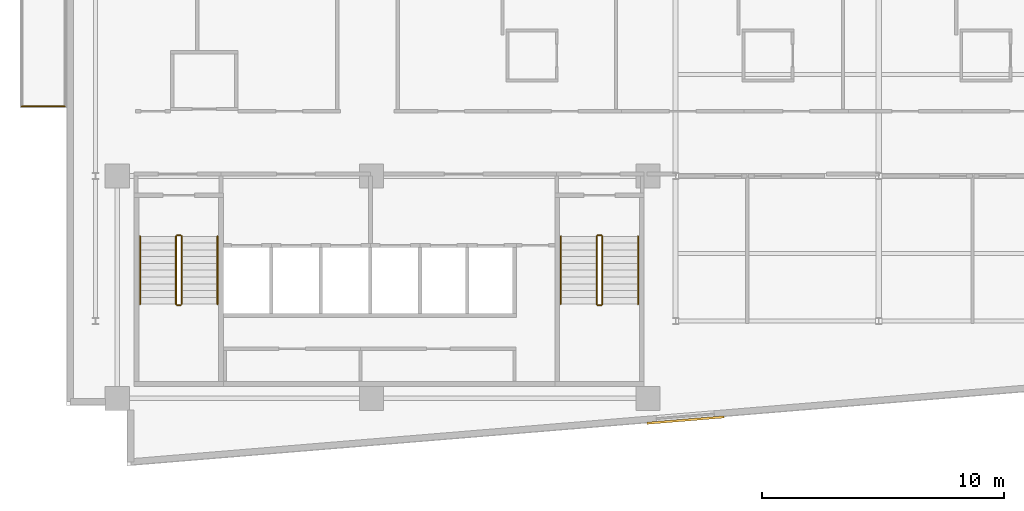
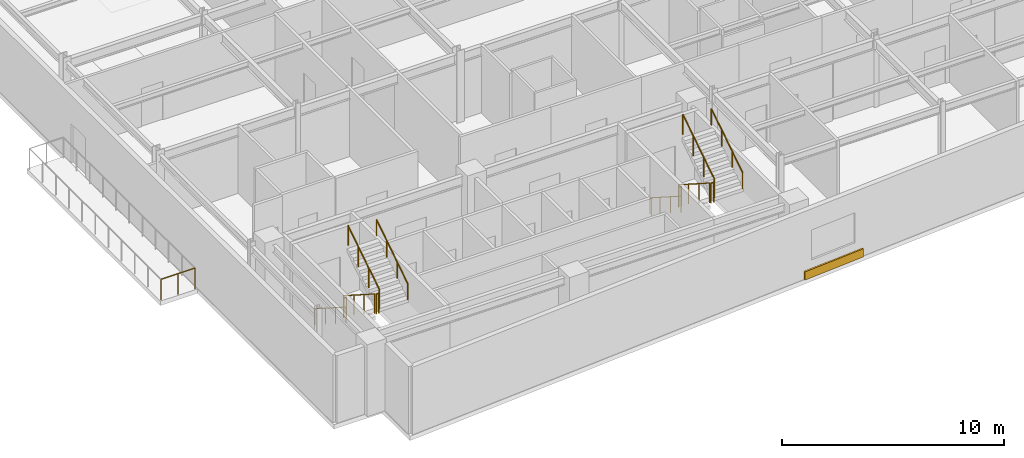
# One storey, part 14 of 16: 13 railings, 1 covering.
"""IFC4 building model written with IfcOpenShell, lengths in metres."""

from ifc_helpers import new_model, si_unit, direction, frame, origin, origin_2d, place, context, subcontext, project, spatial, rectangle, circle, extrude, material, layer, layer_set, type_object, element, save


model = new_model("IFC4")

# Units and contexts
model_context = context("Model", 3, precision=1e-05, world=origin(), true_north=direction((0.0, 1.0)))
body_context = subcontext(model_context, "Body", "Model", "MODEL_VIEW")
ifc_project = project(units=[si_unit("LENGTHUNIT", "METRE"), si_unit("AREAUNIT", "SQUARE_METRE"), si_unit("VOLUMEUNIT", "CUBIC_METRE"), si_unit("PLANEANGLEUNIT", "RADIAN"), si_unit("MASSUNIT", "GRAM", prefix="KILO")], contexts=[model_context])

# Site, building, storey
site_placement = place(None, origin())
site = spatial("IfcSite", under=ifc_project, at=site_placement, CompositionType="ELEMENT")
building_placement = place(site_placement, origin())
building = spatial("IfcBuilding", under=site, at=building_placement, Name="Varnakote Quay Hospital", CompositionType="ELEMENT")
storey_placement = place(building_placement, frame((0.0, 0.0, 188.14990234375)))
storey = spatial("IfcBuildingStorey", under=building, at=storey_placement, Name="L46", CompositionType="ELEMENT", Elevation=188.14990234375)

# Covering
ifc_material_1 = material(Name="Kiln-fired red brick architectural cladding", Category="masonry")
ifc_layer = layer(ifc_material_1, 0.090087890625)
ifc_layer_set = layer_set([ifc_layer], Name="Kiln-fired red brick architectural cladding")
covering_type = type_object("IfcCoveringType", Name="COV-BRICK-CLAD-90", PredefinedType="CLADDING", material=ifc_layer_set)
covering_placement = place(storey_placement, frame((25.613037109375, 1.901123046875, 0.0), z_axis=(0.0, 0.0, 1.0), x_axis=(0.996637386818, 0.08193850863, 0.0)))
element("IfcCovering", 1, at=covering_placement, inside=storey, type_object=covering_type, Name="L46 Kiln-Brick Precast Spandrel Cladding Band", PredefinedType="CLADDING", context=body_context, shape_type="SweptSolid", body=[
    extrude(rectangle(XDim=3.199951171875, YDim=0.090087890625, at=origin_2d()), origin(), (0.0, 0.0, 1.0), 0.449951171875),
])

# Railings
ifc_material_2 = material(Name="Anodised aluminium 6063-T6 Bronze", Category="aluminium")
railing_type_1 = type_object("IfcRailingType", Name="RLG-EXT-GUARD-1150", PredefinedType="GUARDRAIL", material=ifc_material_2)
railing_1_placement = place(storey_placement, frame((-0.075927734375, 14.8798828125, 0.0)))
element("IfcRailing", 2, at=railing_1_placement, inside=storey, type_object=railing_type_1, Name="L46 Zigzag Prow Healing Terrace Safety Guard", PredefinedType="GUARDRAIL", context=body_context, shape_type="SweptSolid", body=[
    extrude(circle(Radius=0.02392578125, at=origin_2d()), frame((0.0, 0.0, 1.1259765625), z_axis=(-1.0, 0.0, 0.0), x_axis=(0.0, -1.0, 0.0)), (0.0, 0.0, 1.0), 1.76416015625),
    extrude(circle(Radius=0.02099609375, at=origin_2d()), origin(), (0.0, 0.0, 1.0), 1.101806640625),
    extrude(circle(Radius=0.02099609375, at=origin_2d()), frame((-0.882080078125, 0.0, 0.0)), (0.0, 0.0, 1.0), 1.101806640625),
    extrude(circle(Radius=0.02099609375, at=origin_2d()), frame((-1.76416015625, 0.0, 0.0)), (0.0, 0.0, 1.0), 1.101806640625),
])
ifc_material_3 = material(Name="Brushed stainless steel balustrade", Category="steel")
railing_type_2 = type_object("IfcRailingType", Name="RLG-STAIR-GUARD-1150", PredefinedType="GUARDRAIL", material=ifc_material_3)
railing_2_placement = place(storey_placement, frame((4.530029296875, 9.5, 0.1796875)))
element("IfcRailing", 3, at=railing_2_placement, inside=storey, type_object=railing_type_2, Name="L46 ST-01 stair guard 1", PredefinedType="GUARDRAIL", context=body_context, shape_type="SweptSolid", body=[
    extrude(circle(Radius=0.02392578125, at=origin_2d()), frame((0.0, 0.0, 1.076171875), z_axis=(0.0, -0.841809871826, 0.539774156196), x_axis=(1.0, 0.0, 0.0)), (0.0, 0.0, 1.0), 3.326171875),
    extrude(circle(Radius=0.02099609375, at=origin_2d()), origin(), (0.0, 0.0, 1.0), 1.052001953125),
    extrude(circle(Radius=0.02099609375, at=origin_2d()), frame((0.0, -0.933349609375, 0.598388671875)), (0.0, 0.0, 1.0), 1.052001953125),
    extrude(circle(Radius=0.02099609375, at=origin_2d()), frame((0.0, -1.86669921875, 1.197021484375)), (0.0, 0.0, 1.0), 1.052001953125),
    extrude(circle(Radius=0.02099609375, at=origin_2d()), frame((0.0, -2.800048828125, 1.79541015625)), (0.0, 0.0, 1.0), 1.052001953125),
])
railing_3_placement = place(storey_placement, frame((4.580078125, 6.64990234375, 1.97509765625)))
element("IfcRailing", 4, at=railing_3_placement, inside=storey, type_object=railing_type_2, Name="L46 ST-01 stair guard 2", PredefinedType="GUARDRAIL", context=body_context, shape_type="SweptSolid", body=[
    extrude(circle(Radius=0.02392578125, at=origin_2d()), frame((0.0, 0.0, 1.076171875), z_axis=(1.0, 0.0, 0.0), x_axis=(0.0, 1.0, 0.0)), (0.0, 0.0, 1.0), 0.139892578125),
    extrude(circle(Radius=0.02099609375, at=origin_2d()), origin(), (0.0, 0.0, 1.0), 1.052001953125),
    extrude(circle(Radius=0.02099609375, at=origin_2d()), frame((0.139892578125, 0.0, 0.0)), (0.0, 0.0, 1.0), 1.052001953125),
])
railing_4_placement = place(storey_placement, frame((4.77001953125, 6.699951171875, 2.154541015625)))
element("IfcRailing", 5, at=railing_4_placement, inside=storey, type_object=railing_type_2, Name="L46 ST-01 stair guard 3", PredefinedType="GUARDRAIL", context=body_context, shape_type="SweptSolid", body=[
    extrude(circle(Radius=0.02392578125, at=origin_2d()), frame((0.0, 0.0, 1.076171875), z_axis=(0.0, 0.841776520102, 0.539826166654), x_axis=(-1.0, 0.0, 0.0)), (0.0, 0.0, 1.0), 3.326416015625),
    extrude(circle(Radius=0.02099609375, at=origin_2d()), origin(), (0.0, 0.0, 1.0), 1.052001953125),
    extrude(circle(Radius=0.02099609375, at=origin_2d()), frame((0.0, 0.933349609375, 0.5986328125)), (0.0, 0.0, 1.0), 1.052001953125),
    extrude(circle(Radius=0.02099609375, at=origin_2d()), frame((0.0, 1.86669921875, 1.197021484375)), (0.0, 0.0, 1.0), 1.052001953125),
    extrude(circle(Radius=0.02099609375, at=origin_2d()), frame((0.0, 2.800048828125, 1.795654296875)), (0.0, 0.0, 1.0), 1.052001953125),
])
railing_5_placement = place(storey_placement, frame((4.580078125, 9.550048828125, 0.0)))
element("IfcRailing", 6, at=railing_5_placement, inside=storey, type_object=railing_type_2, Name="L46 ST-01 stair guard 4", PredefinedType="GUARDRAIL", context=body_context, shape_type="SweptSolid", body=[
    extrude(circle(Radius=0.02392578125, at=origin_2d()), frame((0.0, 0.0, 1.076171875), z_axis=(1.0, 0.0, 0.0), x_axis=(0.0, 1.0, 0.0)), (0.0, 0.0, 1.0), 0.139892578125),
    extrude(circle(Radius=0.02099609375, at=origin_2d()), origin(), (0.0, 0.0, 1.0), 1.052001953125),
    extrude(circle(Radius=0.02099609375, at=origin_2d()), frame((0.139892578125, 0.0, 0.0)), (0.0, 0.0, 1.0), 1.052001953125),
])
railing_6_placement = place(storey_placement, frame((21.929931640625, 9.5, 0.1796875)))
element("IfcRailing", 7, at=railing_6_placement, inside=storey, type_object=railing_type_2, Name="L46 ST-02 stair guard 1", PredefinedType="GUARDRAIL", context=body_context, shape_type="SweptSolid", body=[
    extrude(circle(Radius=0.02392578125, at=origin_2d()), frame((0.0, 0.0, 1.076171875), z_axis=(0.0, -0.841809871826, 0.539774156196), x_axis=(1.0, 0.0, 0.0)), (0.0, 0.0, 1.0), 3.326171875),
    extrude(circle(Radius=0.02099609375, at=origin_2d()), origin(), (0.0, 0.0, 1.0), 1.052001953125),
    extrude(circle(Radius=0.02099609375, at=origin_2d()), frame((0.0, -0.933349609375, 0.598388671875)), (0.0, 0.0, 1.0), 1.052001953125),
    extrude(circle(Radius=0.02099609375, at=origin_2d()), frame((0.0, -1.86669921875, 1.197021484375)), (0.0, 0.0, 1.0), 1.052001953125),
    extrude(circle(Radius=0.02099609375, at=origin_2d()), frame((0.0, -2.800048828125, 1.79541015625)), (0.0, 0.0, 1.0), 1.052001953125),
])
railing_7_placement = place(storey_placement, frame((21.97998046875, 6.64990234375, 1.97509765625)))
element("IfcRailing", 8, at=railing_7_placement, inside=storey, type_object=railing_type_2, Name="L46 ST-02 stair guard 2", PredefinedType="GUARDRAIL", context=body_context, shape_type="SweptSolid", body=[
    extrude(circle(Radius=0.02392578125, at=origin_2d()), frame((0.0, 0.0, 1.076171875), z_axis=(1.0, 0.0, 0.0), x_axis=(0.0, 1.0, 0.0)), (0.0, 0.0, 1.0), 0.14013671875),
    extrude(circle(Radius=0.02099609375, at=origin_2d()), origin(), (0.0, 0.0, 1.0), 1.052001953125),
    extrude(circle(Radius=0.02099609375, at=origin_2d()), frame((0.14013671875, 0.0, 0.0)), (0.0, 0.0, 1.0), 1.052001953125),
])
railing_8_placement = place(storey_placement, frame((22.169921875, 6.699951171875, 2.154541015625)))
element("IfcRailing", 9, at=railing_8_placement, inside=storey, type_object=railing_type_2, Name="L46 ST-02 stair guard 3", PredefinedType="GUARDRAIL", context=body_context, shape_type="SweptSolid", body=[
    extrude(circle(Radius=0.02392578125, at=origin_2d()), frame((0.0, 0.0, 1.076171875), z_axis=(0.0, 0.841776520102, 0.539826166654), x_axis=(-1.0, 0.0, 0.0)), (0.0, 0.0, 1.0), 3.326416015625),
    extrude(circle(Radius=0.02099609375, at=origin_2d()), origin(), (0.0, 0.0, 1.0), 1.052001953125),
    extrude(circle(Radius=0.02099609375, at=origin_2d()), frame((0.0, 0.933349609375, 0.5986328125)), (0.0, 0.0, 1.0), 1.052001953125),
    extrude(circle(Radius=0.02099609375, at=origin_2d()), frame((0.0, 1.86669921875, 1.197021484375)), (0.0, 0.0, 1.0), 1.052001953125),
    extrude(circle(Radius=0.02099609375, at=origin_2d()), frame((0.0, 2.800048828125, 1.795654296875)), (0.0, 0.0, 1.0), 1.052001953125),
])
railing_9_placement = place(storey_placement, frame((21.97998046875, 9.550048828125, 0.0)))
element("IfcRailing", 10, at=railing_9_placement, inside=storey, type_object=railing_type_2, Name="L46 ST-02 stair guard 4", PredefinedType="GUARDRAIL", context=body_context, shape_type="SweptSolid", body=[
    extrude(circle(Radius=0.02392578125, at=origin_2d()), frame((0.0, 0.0, 1.076171875), z_axis=(1.0, 0.0, 0.0), x_axis=(0.0, 1.0, 0.0)), (0.0, 0.0, 1.0), 0.14013671875),
    extrude(circle(Radius=0.02099609375, at=origin_2d()), origin(), (0.0, 0.0, 1.0), 1.052001953125),
    extrude(circle(Radius=0.02099609375, at=origin_2d()), frame((0.14013671875, 0.0, 0.0)), (0.0, 0.0, 1.0), 1.052001953125),
])
ifc_material_4 = material(Name="Brushed stainless steel handrail", Category="steel")
railing_type_3 = type_object("IfcRailingType", Name="RLG-STAIR-HND-920", PredefinedType="HANDRAIL", material=ifc_material_4)
railing_10_placement = place(storey_placement, frame((3.050048828125, 9.5, 0.1796875)))
element("IfcRailing", 11, at=railing_10_placement, inside=storey, type_object=railing_type_3, Name="L46 ST-01 stair handrail 1", PredefinedType="HANDRAIL", context=body_context, shape_type="SweptSolid", body=[
    extrude(circle(Radius=0.02392578125, at=origin_2d()), frame((0.0, 0.0, 0.8759765625), z_axis=(0.0, -0.841809871826, 0.539774156196), x_axis=(1.0, 0.0, 0.0)), (0.0, 0.0, 1.0), 3.326171875),
    extrude(circle(Radius=0.02099609375, at=origin_2d()), origin(), (0.0, 0.0, 1.0), 0.851806640625),
    extrude(circle(Radius=0.02099609375, at=origin_2d()), frame((0.0, -0.933349609375, 0.598388671875)), (0.0, 0.0, 1.0), 0.851806640625),
    extrude(circle(Radius=0.02099609375, at=origin_2d()), frame((0.0, -1.86669921875, 1.197021484375)), (0.0, 0.0, 1.0), 0.851806640625),
    extrude(circle(Radius=0.02099609375, at=origin_2d()), frame((0.0, -2.800048828125, 1.79541015625)), (0.0, 0.0, 1.0), 0.851806640625),
])
railing_11_placement = place(storey_placement, frame((6.25, 6.699951171875, 2.154541015625)))
element("IfcRailing", 12, at=railing_11_placement, inside=storey, type_object=railing_type_3, Name="L46 ST-01 stair handrail 2", PredefinedType="HANDRAIL", context=body_context, shape_type="SweptSolid", body=[
    extrude(circle(Radius=0.02392578125, at=origin_2d()), frame((0.0, 0.0, 0.8759765625), z_axis=(0.0, 0.841776520102, 0.539826166654), x_axis=(-1.0, 0.0, 0.0)), (0.0, 0.0, 1.0), 3.326416015625),
    extrude(circle(Radius=0.02099609375, at=origin_2d()), origin(), (0.0, 0.0, 1.0), 0.851806640625),
    extrude(circle(Radius=0.02099609375, at=origin_2d()), frame((0.0, 0.933349609375, 0.5986328125)), (0.0, 0.0, 1.0), 0.851806640625),
    extrude(circle(Radius=0.02099609375, at=origin_2d()), frame((0.0, 1.86669921875, 1.197021484375)), (0.0, 0.0, 1.0), 0.851806640625),
    extrude(circle(Radius=0.02099609375, at=origin_2d()), frame((0.0, 2.800048828125, 1.795654296875)), (0.0, 0.0, 1.0), 0.851806640625),
])
railing_12_placement = place(storey_placement, frame((20.449951171875, 9.5, 0.1796875)))
element("IfcRailing", 13, at=railing_12_placement, inside=storey, type_object=railing_type_3, Name="L46 ST-02 stair handrail 1", PredefinedType="HANDRAIL", context=body_context, shape_type="SweptSolid", body=[
    extrude(circle(Radius=0.02392578125, at=origin_2d()), frame((0.0, 0.0, 0.8759765625), z_axis=(0.0, -0.841809871826, 0.539774156196), x_axis=(1.0, 0.0, 0.0)), (0.0, 0.0, 1.0), 3.326171875),
    extrude(circle(Radius=0.02099609375, at=origin_2d()), origin(), (0.0, 0.0, 1.0), 0.851806640625),
    extrude(circle(Radius=0.02099609375, at=origin_2d()), frame((0.0, -0.933349609375, 0.598388671875)), (0.0, 0.0, 1.0), 0.851806640625),
    extrude(circle(Radius=0.02099609375, at=origin_2d()), frame((0.0, -1.86669921875, 1.197021484375)), (0.0, 0.0, 1.0), 0.851806640625),
    extrude(circle(Radius=0.02099609375, at=origin_2d()), frame((0.0, -2.800048828125, 1.79541015625)), (0.0, 0.0, 1.0), 0.851806640625),
])
railing_13_placement = place(storey_placement, frame((23.64990234375, 6.699951171875, 2.154541015625)))
element("IfcRailing", 14, at=railing_13_placement, inside=storey, type_object=railing_type_3, Name="L46 ST-02 stair handrail 2", PredefinedType="HANDRAIL", context=body_context, shape_type="SweptSolid", body=[
    extrude(circle(Radius=0.02392578125, at=origin_2d()), frame((0.0, 0.0, 0.8759765625), z_axis=(0.0, 0.841776520102, 0.539826166654), x_axis=(-1.0, 0.0, 0.0)), (0.0, 0.0, 1.0), 3.326416015625),
    extrude(circle(Radius=0.02099609375, at=origin_2d()), origin(), (0.0, 0.0, 1.0), 0.851806640625),
    extrude(circle(Radius=0.02099609375, at=origin_2d()), frame((0.0, 0.933349609375, 0.5986328125)), (0.0, 0.0, 1.0), 0.851806640625),
    extrude(circle(Radius=0.02099609375, at=origin_2d()), frame((0.0, 1.86669921875, 1.197021484375)), (0.0, 0.0, 1.0), 0.851806640625),
    extrude(circle(Radius=0.02099609375, at=origin_2d()), frame((0.0, 2.800048828125, 1.795654296875)), (0.0, 0.0, 1.0), 0.851806640625),
])

save(model, "model.ifc")
